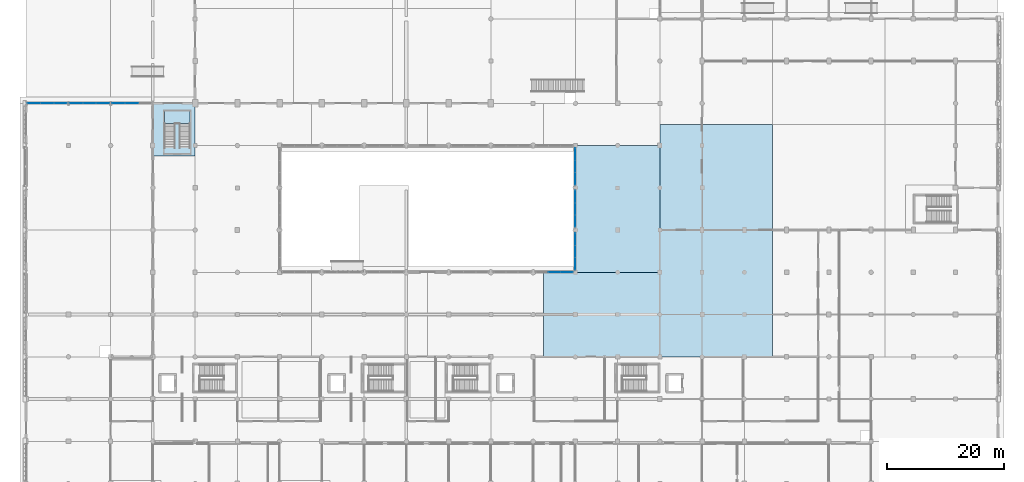
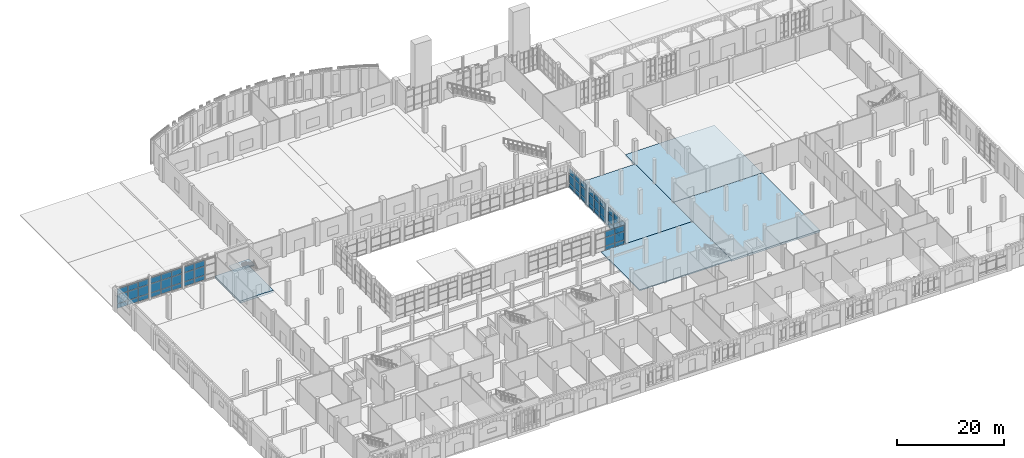
# One storey, part 41 of 85: 57 plates, 6 slabs, 8 elements without a shape of their own.
"""IFC4 building model written with IfcOpenShell, lengths in metres."""

from ifc_helpers import new_model, si_unit, direction, frame, origin, origin_2d, place, context, subcontext, project, spatial, polyline, rectangle, outline, extrude, material, layer, layer_set, type_object, element, aggregate, save


model = new_model("IFC4")

# Units and contexts
model_context = context("Model", 3, precision=1e-05, world=origin(), true_north=direction((0.0, 1.0)))
body_context = subcontext(model_context, "Body", "Model", "MODEL_VIEW")
ifc_project = project(units=[si_unit("LENGTHUNIT", "METRE"), si_unit("AREAUNIT", "SQUARE_METRE"), si_unit("VOLUMEUNIT", "CUBIC_METRE"), si_unit("PLANEANGLEUNIT", "RADIAN"), si_unit("MASSUNIT", "GRAM", prefix="KILO")], contexts=[model_context])

# Site, building, storey
site_placement = place(None, origin())
site = spatial("IfcSite", under=ifc_project, at=site_placement, CompositionType="ELEMENT")
building_placement = place(site_placement, origin())
building = spatial("IfcBuilding", under=site, at=building_placement, Name="Sardonyx Promenade Sports Hall", CompositionType="ELEMENT")
storey_placement = place(building_placement, origin())
storey = spatial("IfcBuildingStorey", under=building, at=storey_placement, Name="L00", CompositionType="ELEMENT", Elevation=0.0)

# Curtain wall, plates
ifc_material_1 = material(Name="Aluminium 6063-T6", Category="aluminium")
curtain_wall_type_1 = type_object("IfcCurtainWallType", Name="CW_Riwaq_L00_640", PredefinedType="USERDEFINED", material=ifc_material_1)
curtain_wall_1_placement = place(storey_placement, origin())
curtain_wall_1 = element("IfcCurtainWall", 1, at=curtain_wall_1_placement, inside=storey, type_object=curtain_wall_type_1, Name="Curtain wall CW17 cw:L00:118", ObjectType="CURTAIN WALL", PredefinedType="USERDEFINED")
ifc_material_2 = material(Name="Double-glazed acoustic IGU 32 mm", Category="glass")
ifc_layer_1 = layer(ifc_material_2, 0.031982421875)
ifc_layer_set_1 = layer_set([ifc_layer_1], Name="CW_Pan_Glz_32")
plate_type_1 = type_object("IfcPlateType", Name="CW_Pan_Glz_32", PredefinedType="CURTAIN_PANEL", material=ifc_layer_set_1)
plate_1_placement = place(storey_placement, frame((90.050048828125, 43.199951171875, 0.06494140625), z_axis=(0.0, 0.0, 1.0), x_axis=(1.0, 0.0, 0.0)))
plate_1 = element("IfcPlate", 2, at=plate_1_placement, type_object=plate_type_1, Name="Curtain panel CP02 cw:L00:118 #4", PredefinedType="CURTAIN_PANEL", context=body_context, shape_type="SweptSolid", body=[
    extrude(rectangle(XDim=2.033447265625, YDim=0.031982421875, at=origin_2d()), origin(), (0.0, 0.0, 1.0), 0.902587890625),
])
plate_2_placement = place(storey_placement, frame((90.050048828125, 43.199951171875, 1.032470703125), z_axis=(0.0, 0.0, 1.0), x_axis=(1.0, 0.0, 0.0)))
plate_2 = element("IfcPlate", 3, at=plate_2_placement, type_object=plate_type_1, Name="Curtain panel CP02 cw:L00:118 #5", PredefinedType="CURTAIN_PANEL", context=body_context, shape_type="SweptSolid", body=[
    extrude(rectangle(XDim=2.033447265625, YDim=0.031982421875, at=origin_2d()), origin(), (0.0, 0.0, 1.0), 1.93505859375),
])
plate_3_placement = place(storey_placement, frame((90.050048828125, 43.199951171875, 3.03271484375), z_axis=(0.0, 0.0, 1.0), x_axis=(1.0, 0.0, 0.0)))
plate_3 = element("IfcPlate", 4, at=plate_3_placement, type_object=plate_type_1, Name="Curtain panel CP02 cw:L00:118 #6", PredefinedType="CURTAIN_PANEL", context=body_context, shape_type="SweptSolid", body=[
    extrude(rectangle(XDim=2.033447265625, YDim=0.031982421875, at=origin_2d()), origin(), (0.0, 0.0, 1.0), 1.302490234375),
])
plate_4_placement = place(storey_placement, frame((92.1484375, 43.199951171875, 0.06494140625), z_axis=(0.0, 0.0, 1.0), x_axis=(1.0, 0.0, 0.0)))
plate_4 = element("IfcPlate", 5, at=plate_4_placement, type_object=plate_type_1, Name="Curtain panel CP02 cw:L00:118 #7", PredefinedType="CURTAIN_PANEL", context=body_context, shape_type="SweptSolid", body=[
    extrude(rectangle(XDim=2.033447265625, YDim=0.031982421875, at=origin_2d()), origin(), (0.0, 0.0, 1.0), 0.902587890625),
])
plate_5_placement = place(storey_placement, frame((92.1484375, 43.199951171875, 1.032470703125), z_axis=(0.0, 0.0, 1.0), x_axis=(1.0, 0.0, 0.0)))
plate_5 = element("IfcPlate", 6, at=plate_5_placement, type_object=plate_type_1, Name="Curtain panel CP02 cw:L00:118 #8", PredefinedType="CURTAIN_PANEL", context=body_context, shape_type="SweptSolid", body=[
    extrude(rectangle(XDim=2.033447265625, YDim=0.031982421875, at=origin_2d()), origin(), (0.0, 0.0, 1.0), 1.93505859375),
])
plate_6_placement = place(storey_placement, frame((92.1484375, 43.199951171875, 3.03271484375), z_axis=(0.0, 0.0, 1.0), x_axis=(1.0, 0.0, 0.0)))
plate_6 = element("IfcPlate", 7, at=plate_6_placement, type_object=plate_type_1, Name="Curtain panel CP02 cw:L00:118 #9", PredefinedType="CURTAIN_PANEL", context=body_context, shape_type="SweptSolid", body=[
    extrude(rectangle(XDim=2.033447265625, YDim=0.031982421875, at=origin_2d()), origin(), (0.0, 0.0, 1.0), 1.302490234375),
])
aggregate(curtain_wall_1, [plate_1, plate_2, plate_3, plate_4, plate_5, plate_6])

curtain_wall_2_placement = place(storey_placement, origin())
curtain_wall_2 = element("IfcCurtainWall", 8, at=curtain_wall_2_placement, inside=storey, type_object=curtain_wall_type_1, Name="Curtain wall CW17 cw:L00:121", ObjectType="CURTAIN WALL", PredefinedType="USERDEFINED")
plate_7_placement = place(storey_placement, frame((93.60009765625, 44.651611328125, 0.06494140625), z_axis=(0.0, 0.0, 1.0), x_axis=(0.0, 1.0, 0.0)))
plate_7 = element("IfcPlate", 9, at=plate_7_placement, type_object=plate_type_1, Name="Curtain panel CP02 cw:L00:121 #1", PredefinedType="CURTAIN_PANEL", context=body_context, shape_type="SweptSolid", body=[
    extrude(rectangle(XDim=2.033447265625, YDim=0.031982421875, at=origin_2d()), origin(), (0.0, 0.0, 1.0), 0.902587890625),
])
plate_8_placement = place(storey_placement, frame((93.60009765625, 44.651611328125, 1.032470703125), z_axis=(0.0, 0.0, 1.0), x_axis=(0.0, 1.0, 0.0)))
plate_8 = element("IfcPlate", 10, at=plate_8_placement, type_object=plate_type_1, Name="Curtain panel CP02 cw:L00:121 #2", PredefinedType="CURTAIN_PANEL", context=body_context, shape_type="SweptSolid", body=[
    extrude(rectangle(XDim=2.033447265625, YDim=0.031982421875, at=origin_2d()), origin(), (0.0, 0.0, 1.0), 1.93505859375),
])
plate_9_placement = place(storey_placement, frame((93.60009765625, 44.651611328125, 3.03271484375), z_axis=(0.0, 0.0, 1.0), x_axis=(0.0, 1.0, 0.0)))
plate_9 = element("IfcPlate", 11, at=plate_9_placement, type_object=plate_type_1, Name="Curtain panel CP02 cw:L00:121 #3", PredefinedType="CURTAIN_PANEL", context=body_context, shape_type="SweptSolid", body=[
    extrude(rectangle(XDim=2.033447265625, YDim=0.031982421875, at=origin_2d()), origin(), (0.0, 0.0, 1.0), 1.302490234375),
])
plate_10_placement = place(storey_placement, frame((93.60009765625, 46.75, 0.06494140625), z_axis=(0.0, 0.0, 1.0), x_axis=(0.0, 1.0, 0.0)))
plate_10 = element("IfcPlate", 12, at=plate_10_placement, type_object=plate_type_1, Name="Curtain panel CP02 cw:L00:121 #4", PredefinedType="CURTAIN_PANEL", context=body_context, shape_type="SweptSolid", body=[
    extrude(rectangle(XDim=2.033447265625, YDim=0.031982421875, at=origin_2d()), origin(), (0.0, 0.0, 1.0), 0.902587890625),
])
plate_11_placement = place(storey_placement, frame((93.60009765625, 46.75, 1.032470703125), z_axis=(0.0, 0.0, 1.0), x_axis=(0.0, 1.0, 0.0)))
plate_11 = element("IfcPlate", 13, at=plate_11_placement, type_object=plate_type_1, Name="Curtain panel CP02 cw:L00:121 #5", PredefinedType="CURTAIN_PANEL", context=body_context, shape_type="SweptSolid", body=[
    extrude(rectangle(XDim=2.033447265625, YDim=0.031982421875, at=origin_2d()), origin(), (0.0, 0.0, 1.0), 1.93505859375),
])
plate_12_placement = place(storey_placement, frame((93.60009765625, 46.75, 3.03271484375), z_axis=(0.0, 0.0, 1.0), x_axis=(0.0, 1.0, 0.0)))
plate_12 = element("IfcPlate", 14, at=plate_12_placement, type_object=plate_type_1, Name="Curtain panel CP02 cw:L00:121 #6", PredefinedType="CURTAIN_PANEL", context=body_context, shape_type="SweptSolid", body=[
    extrude(rectangle(XDim=2.033447265625, YDim=0.031982421875, at=origin_2d()), origin(), (0.0, 0.0, 1.0), 1.302490234375),
])
plate_13_placement = place(storey_placement, frame((93.60009765625, 48.848388671875, 0.06494140625), z_axis=(0.0, 0.0, 1.0), x_axis=(0.0, 1.0, 0.0)))
plate_13 = element("IfcPlate", 15, at=plate_13_placement, type_object=plate_type_1, Name="Curtain panel CP02 cw:L00:121 #7", PredefinedType="CURTAIN_PANEL", context=body_context, shape_type="SweptSolid", body=[
    extrude(rectangle(XDim=2.033447265625, YDim=0.031982421875, at=origin_2d()), origin(), (0.0, 0.0, 1.0), 0.902587890625),
])
plate_14_placement = place(storey_placement, frame((93.60009765625, 48.848388671875, 1.032470703125), z_axis=(0.0, 0.0, 1.0), x_axis=(0.0, 1.0, 0.0)))
plate_14 = element("IfcPlate", 16, at=plate_14_placement, type_object=plate_type_1, Name="Curtain panel CP02 cw:L00:121 #8", PredefinedType="CURTAIN_PANEL", context=body_context, shape_type="SweptSolid", body=[
    extrude(rectangle(XDim=2.033447265625, YDim=0.031982421875, at=origin_2d()), origin(), (0.0, 0.0, 1.0), 1.93505859375),
])
plate_15_placement = place(storey_placement, frame((93.60009765625, 48.848388671875, 3.03271484375), z_axis=(0.0, 0.0, 1.0), x_axis=(0.0, 1.0, 0.0)))
plate_15 = element("IfcPlate", 17, at=plate_15_placement, type_object=plate_type_1, Name="Curtain panel CP02 cw:L00:121 #9", PredefinedType="CURTAIN_PANEL", context=body_context, shape_type="SweptSolid", body=[
    extrude(rectangle(XDim=2.033447265625, YDim=0.031982421875, at=origin_2d()), origin(), (0.0, 0.0, 1.0), 1.302490234375),
])
aggregate(curtain_wall_2, [plate_7, plate_8, plate_9, plate_10, plate_11, plate_12, plate_13, plate_14, plate_15])

curtain_wall_3_placement = place(storey_placement, origin())
curtain_wall_3 = element("IfcCurtainWall", 18, at=curtain_wall_3_placement, inside=storey, type_object=curtain_wall_type_1, Name="Curtain wall CW17 cw:L00:123", ObjectType="CURTAIN WALL", PredefinedType="USERDEFINED")
plate_16_placement = place(storey_placement, frame((93.60009765625, 51.93505859375, 0.06494140625), z_axis=(0.0, 0.0, 1.0), x_axis=(0.0, 1.0, 0.0)))
plate_16 = element("IfcPlate", 19, at=plate_16_placement, type_object=plate_type_1, Name="Curtain panel CP02 cw:L00:123 #1", PredefinedType="CURTAIN_PANEL", context=body_context, shape_type="SweptSolid", body=[
    extrude(rectangle(XDim=2.0, YDim=0.031982421875, at=origin_2d()), origin(), (0.0, 0.0, 1.0), 0.902587890625),
])
plate_17_placement = place(storey_placement, frame((93.60009765625, 51.93505859375, 1.032470703125), z_axis=(0.0, 0.0, 1.0), x_axis=(0.0, 1.0, 0.0)))
plate_17 = element("IfcPlate", 20, at=plate_17_placement, type_object=plate_type_1, Name="Curtain panel CP02 cw:L00:123 #2", PredefinedType="CURTAIN_PANEL", context=body_context, shape_type="SweptSolid", body=[
    extrude(rectangle(XDim=2.0, YDim=0.031982421875, at=origin_2d()), origin(), (0.0, 0.0, 1.0), 1.93505859375),
])
plate_18_placement = place(storey_placement, frame((93.60009765625, 51.93505859375, 3.03271484375), z_axis=(0.0, 0.0, 1.0), x_axis=(0.0, 1.0, 0.0)))
plate_18 = element("IfcPlate", 21, at=plate_18_placement, type_object=plate_type_1, Name="Curtain panel CP02 cw:L00:123 #3", PredefinedType="CURTAIN_PANEL", context=body_context, shape_type="SweptSolid", body=[
    extrude(rectangle(XDim=2.0, YDim=0.031982421875, at=origin_2d()), origin(), (0.0, 0.0, 1.0), 1.302490234375),
])
plate_19_placement = place(storey_placement, frame((93.60009765625, 54.0, 0.06494140625), z_axis=(0.0, 0.0, 1.0), x_axis=(0.0, 1.0, 0.0)))
plate_19 = element("IfcPlate", 22, at=plate_19_placement, type_object=plate_type_1, Name="Curtain panel CP02 cw:L00:123 #4", PredefinedType="CURTAIN_PANEL", context=body_context, shape_type="SweptSolid", body=[
    extrude(rectangle(XDim=2.0, YDim=0.031982421875, at=origin_2d()), origin(), (0.0, 0.0, 1.0), 0.902587890625),
])
plate_20_placement = place(storey_placement, frame((93.60009765625, 54.0, 1.032470703125), z_axis=(0.0, 0.0, 1.0), x_axis=(0.0, 1.0, 0.0)))
plate_20 = element("IfcPlate", 23, at=plate_20_placement, type_object=plate_type_1, Name="Curtain panel CP02 cw:L00:123 #5", PredefinedType="CURTAIN_PANEL", context=body_context, shape_type="SweptSolid", body=[
    extrude(rectangle(XDim=2.0, YDim=0.031982421875, at=origin_2d()), origin(), (0.0, 0.0, 1.0), 1.93505859375),
])
plate_21_placement = place(storey_placement, frame((93.60009765625, 54.0, 3.03271484375), z_axis=(0.0, 0.0, 1.0), x_axis=(0.0, 1.0, 0.0)))
plate_21 = element("IfcPlate", 24, at=plate_21_placement, type_object=plate_type_1, Name="Curtain panel CP02 cw:L00:123 #6", PredefinedType="CURTAIN_PANEL", context=body_context, shape_type="SweptSolid", body=[
    extrude(rectangle(XDim=2.0, YDim=0.031982421875, at=origin_2d()), origin(), (0.0, 0.0, 1.0), 1.302490234375),
])
plate_22_placement = place(storey_placement, frame((93.60009765625, 56.06494140625, 0.06494140625), z_axis=(0.0, 0.0, 1.0), x_axis=(0.0, 1.0, 0.0)))
plate_22 = element("IfcPlate", 25, at=plate_22_placement, type_object=plate_type_1, Name="Curtain panel CP02 cw:L00:123 #7", PredefinedType="CURTAIN_PANEL", context=body_context, shape_type="SweptSolid", body=[
    extrude(rectangle(XDim=2.0, YDim=0.031982421875, at=origin_2d()), origin(), (0.0, 0.0, 1.0), 0.902587890625),
])
plate_23_placement = place(storey_placement, frame((93.60009765625, 56.06494140625, 1.032470703125), z_axis=(0.0, 0.0, 1.0), x_axis=(0.0, 1.0, 0.0)))
plate_23 = element("IfcPlate", 26, at=plate_23_placement, type_object=plate_type_1, Name="Curtain panel CP02 cw:L00:123 #8", PredefinedType="CURTAIN_PANEL", context=body_context, shape_type="SweptSolid", body=[
    extrude(rectangle(XDim=2.0, YDim=0.031982421875, at=origin_2d()), origin(), (0.0, 0.0, 1.0), 1.93505859375),
])
plate_24_placement = place(storey_placement, frame((93.60009765625, 56.06494140625, 3.03271484375), z_axis=(0.0, 0.0, 1.0), x_axis=(0.0, 1.0, 0.0)))
plate_24 = element("IfcPlate", 27, at=plate_24_placement, type_object=plate_type_1, Name="Curtain panel CP02 cw:L00:123 #9", PredefinedType="CURTAIN_PANEL", context=body_context, shape_type="SweptSolid", body=[
    extrude(rectangle(XDim=2.0, YDim=0.031982421875, at=origin_2d()), origin(), (0.0, 0.0, 1.0), 1.302490234375),
])
aggregate(curtain_wall_3, [plate_16, plate_17, plate_18, plate_19, plate_20, plate_21, plate_22, plate_23, plate_24])

curtain_wall_4_placement = place(storey_placement, origin())
curtain_wall_4 = element("IfcCurtainWall", 28, at=curtain_wall_4_placement, inside=storey, type_object=curtain_wall_type_1, Name="Curtain wall CW17 cw:L00:125", ObjectType="CURTAIN WALL", PredefinedType="USERDEFINED")
plate_25_placement = place(storey_placement, frame((93.60009765625, 59.151611328125, 0.06494140625), z_axis=(0.0, 0.0, 1.0), x_axis=(0.0, 1.0, 0.0)))
plate_25 = element("IfcPlate", 29, at=plate_25_placement, type_object=plate_type_1, Name="Curtain panel CP02 cw:L00:125 #1", PredefinedType="CURTAIN_PANEL", context=body_context, shape_type="SweptSolid", body=[
    extrude(rectangle(XDim=2.033447265625, YDim=0.031982421875, at=origin_2d()), origin(), (0.0, 0.0, 1.0), 0.902587890625),
])
plate_26_placement = place(storey_placement, frame((93.60009765625, 59.151611328125, 1.032470703125), z_axis=(0.0, 0.0, 1.0), x_axis=(0.0, 1.0, 0.0)))
plate_26 = element("IfcPlate", 30, at=plate_26_placement, type_object=plate_type_1, Name="Curtain panel CP02 cw:L00:125 #2", PredefinedType="CURTAIN_PANEL", context=body_context, shape_type="SweptSolid", body=[
    extrude(rectangle(XDim=2.033447265625, YDim=0.031982421875, at=origin_2d()), origin(), (0.0, 0.0, 1.0), 1.93505859375),
])
plate_27_placement = place(storey_placement, frame((93.60009765625, 59.151611328125, 3.03271484375), z_axis=(0.0, 0.0, 1.0), x_axis=(0.0, 1.0, 0.0)))
plate_27 = element("IfcPlate", 31, at=plate_27_placement, type_object=plate_type_1, Name="Curtain panel CP02 cw:L00:125 #3", PredefinedType="CURTAIN_PANEL", context=body_context, shape_type="SweptSolid", body=[
    extrude(rectangle(XDim=2.033447265625, YDim=0.031982421875, at=origin_2d()), origin(), (0.0, 0.0, 1.0), 1.302490234375),
])
plate_28_placement = place(storey_placement, frame((93.60009765625, 61.25, 0.06494140625), z_axis=(0.0, 0.0, 1.0), x_axis=(0.0, 1.0, 0.0)))
plate_28 = element("IfcPlate", 32, at=plate_28_placement, type_object=plate_type_1, Name="Curtain panel CP02 cw:L00:125 #4", PredefinedType="CURTAIN_PANEL", context=body_context, shape_type="SweptSolid", body=[
    extrude(rectangle(XDim=2.033447265625, YDim=0.031982421875, at=origin_2d()), origin(), (0.0, 0.0, 1.0), 0.902587890625),
])
plate_29_placement = place(storey_placement, frame((93.60009765625, 61.25, 1.032470703125), z_axis=(0.0, 0.0, 1.0), x_axis=(0.0, 1.0, 0.0)))
plate_29 = element("IfcPlate", 33, at=plate_29_placement, type_object=plate_type_1, Name="Curtain panel CP02 cw:L00:125 #5", PredefinedType="CURTAIN_PANEL", context=body_context, shape_type="SweptSolid", body=[
    extrude(rectangle(XDim=2.033447265625, YDim=0.031982421875, at=origin_2d()), origin(), (0.0, 0.0, 1.0), 1.93505859375),
])
plate_30_placement = place(storey_placement, frame((93.60009765625, 61.25, 3.03271484375), z_axis=(0.0, 0.0, 1.0), x_axis=(0.0, 1.0, 0.0)))
plate_30 = element("IfcPlate", 34, at=plate_30_placement, type_object=plate_type_1, Name="Curtain panel CP02 cw:L00:125 #6", PredefinedType="CURTAIN_PANEL", context=body_context, shape_type="SweptSolid", body=[
    extrude(rectangle(XDim=2.033447265625, YDim=0.031982421875, at=origin_2d()), origin(), (0.0, 0.0, 1.0), 1.302490234375),
])
plate_31_placement = place(storey_placement, frame((93.60009765625, 63.348388671875, 0.06494140625), z_axis=(0.0, 0.0, 1.0), x_axis=(0.0, 1.0, 0.0)))
plate_31 = element("IfcPlate", 35, at=plate_31_placement, type_object=plate_type_1, Name="Curtain panel CP02 cw:L00:125 #7", PredefinedType="CURTAIN_PANEL", context=body_context, shape_type="SweptSolid", body=[
    extrude(rectangle(XDim=2.033447265625, YDim=0.031982421875, at=origin_2d()), origin(), (0.0, 0.0, 1.0), 0.902587890625),
])
plate_32_placement = place(storey_placement, frame((93.60009765625, 63.348388671875, 1.032470703125), z_axis=(0.0, 0.0, 1.0), x_axis=(0.0, 1.0, 0.0)))
plate_32 = element("IfcPlate", 36, at=plate_32_placement, type_object=plate_type_1, Name="Curtain panel CP02 cw:L00:125 #8", PredefinedType="CURTAIN_PANEL", context=body_context, shape_type="SweptSolid", body=[
    extrude(rectangle(XDim=2.033447265625, YDim=0.031982421875, at=origin_2d()), origin(), (0.0, 0.0, 1.0), 1.93505859375),
])
plate_33_placement = place(storey_placement, frame((93.60009765625, 63.348388671875, 3.03271484375), z_axis=(0.0, 0.0, 1.0), x_axis=(0.0, 1.0, 0.0)))
plate_33 = element("IfcPlate", 37, at=plate_33_placement, type_object=plate_type_1, Name="Curtain panel CP02 cw:L00:125 #9", PredefinedType="CURTAIN_PANEL", context=body_context, shape_type="SweptSolid", body=[
    extrude(rectangle(XDim=2.033447265625, YDim=0.031982421875, at=origin_2d()), origin(), (0.0, 0.0, 1.0), 1.302490234375),
])
aggregate(curtain_wall_4, [plate_25, plate_26, plate_27, plate_28, plate_29, plate_30, plate_31, plate_32, plate_33])

ifc_material_3 = material(Name="Aluminium 6063-T6", Category="aluminium")
curtain_wall_type_2 = type_object("IfcCurtainWallType", Name="CW_Climb_North_L00", PredefinedType="USERDEFINED", material=ifc_material_3)
curtain_wall_5_placement = place(storey_placement, origin())
curtain_wall_5 = element("IfcCurtainWall", 38, at=curtain_wall_5_placement, inside=storey, type_object=curtain_wall_type_2, Name="Curtain wall CW05 cw:L00:069", ObjectType="CURTAIN WALL", PredefinedType="USERDEFINED")
ifc_material_4 = material(Name="Laminated safety sports IGU 36 mm", Category="glass")
ifc_layer_2 = layer(ifc_material_4, 0.035888671875)
ifc_layer_set_2 = layer_set([ifc_layer_2], Name="CW_Pan_Glz_36")
plate_type_2 = type_object("IfcPlateType", Name="CW_Pan_Glz_36", PredefinedType="CURTAIN_PANEL", material=ifc_layer_set_2)
plate_34_placement = place(storey_placement, frame((1.336669921875, 72.0, 0.369873046875), z_axis=(0.0, 0.0, 1.0), x_axis=(1.0, 0.0, 0.0)))
plate_34 = element("IfcPlate", 39, at=plate_34_placement, type_object=plate_type_2, Name="Curtain panel CP03 cw:L00:069 #1", PredefinedType="CURTAIN_PANEL", context=body_context, shape_type="SweptSolid", body=[
    extrude(rectangle(XDim=2.193359375, YDim=0.035888671875, at=origin_2d()), origin(), (0.0, 0.0, 1.0), 0.9951171875),
])
plate_35_placement = place(storey_placement, frame((1.336669921875, 72.0, 1.43505859375), z_axis=(0.0, 0.0, 1.0), x_axis=(1.0, 0.0, 0.0)))
plate_35 = element("IfcPlate", 40, at=plate_35_placement, type_object=plate_type_2, Name="Curtain panel CP03 cw:L00:069 #2", PredefinedType="CURTAIN_PANEL", context=body_context, shape_type="SweptSolid", body=[
    extrude(rectangle(XDim=2.193359375, YDim=0.035888671875, at=origin_2d()), origin(), (0.0, 0.0, 1.0), 2.030029296875),
])
plate_36_placement = place(storey_placement, frame((1.336669921875, 72.0, 3.53515625), z_axis=(0.0, 0.0, 1.0), x_axis=(1.0, 0.0, 0.0)))
plate_36 = element("IfcPlate", 41, at=plate_36_placement, type_object=plate_type_2, Name="Curtain panel CP03 cw:L00:069 #3", PredefinedType="CURTAIN_PANEL", context=body_context, shape_type="SweptSolid", body=[
    extrude(rectangle(XDim=2.193359375, YDim=0.035888671875, at=origin_2d()), origin(), (0.0, 0.0, 1.0), 1.294921875),
])
plate_37_placement = place(storey_placement, frame((3.60009765625, 72.0, 0.369873046875), z_axis=(0.0, 0.0, 1.0), x_axis=(1.0, 0.0, 0.0)))
plate_37 = element("IfcPlate", 42, at=plate_37_placement, type_object=plate_type_2, Name="Curtain panel CP03 cw:L00:069 #4", PredefinedType="CURTAIN_PANEL", context=body_context, shape_type="SweptSolid", body=[
    extrude(rectangle(XDim=2.193359375, YDim=0.035888671875, at=origin_2d()), origin(), (0.0, 0.0, 1.0), 0.9951171875),
])
plate_38_placement = place(storey_placement, frame((3.60009765625, 72.0, 1.43505859375), z_axis=(0.0, 0.0, 1.0), x_axis=(1.0, 0.0, 0.0)))
plate_38 = element("IfcPlate", 43, at=plate_38_placement, type_object=plate_type_2, Name="Curtain panel CP03 cw:L00:069 #5", PredefinedType="CURTAIN_PANEL", context=body_context, shape_type="SweptSolid", body=[
    extrude(rectangle(XDim=2.193359375, YDim=0.035888671875, at=origin_2d()), origin(), (0.0, 0.0, 1.0), 2.030029296875),
])
plate_39_placement = place(storey_placement, frame((3.60009765625, 72.0, 3.53515625), z_axis=(0.0, 0.0, 1.0), x_axis=(1.0, 0.0, 0.0)))
plate_39 = element("IfcPlate", 44, at=plate_39_placement, type_object=plate_type_2, Name="Curtain panel CP03 cw:L00:069 #6", PredefinedType="CURTAIN_PANEL", context=body_context, shape_type="SweptSolid", body=[
    extrude(rectangle(XDim=2.193359375, YDim=0.035888671875, at=origin_2d()), origin(), (0.0, 0.0, 1.0), 1.294921875),
])
plate_40_placement = place(storey_placement, frame((5.86328125, 72.0, 0.369873046875), z_axis=(0.0, 0.0, 1.0), x_axis=(1.0, 0.0, 0.0)))
plate_40 = element("IfcPlate", 45, at=plate_40_placement, type_object=plate_type_2, Name="Curtain panel CP03 cw:L00:069 #7", PredefinedType="CURTAIN_PANEL", context=body_context, shape_type="SweptSolid", body=[
    extrude(rectangle(XDim=2.193359375, YDim=0.035888671875, at=origin_2d()), origin(), (0.0, 0.0, 1.0), 0.9951171875),
])
plate_41_placement = place(storey_placement, frame((5.86328125, 72.0, 1.43505859375), z_axis=(0.0, 0.0, 1.0), x_axis=(1.0, 0.0, 0.0)))
plate_41 = element("IfcPlate", 46, at=plate_41_placement, type_object=plate_type_2, Name="Curtain panel CP03 cw:L00:069 #8", PredefinedType="CURTAIN_PANEL", context=body_context, shape_type="SweptSolid", body=[
    extrude(rectangle(XDim=2.193359375, YDim=0.035888671875, at=origin_2d()), origin(), (0.0, 0.0, 1.0), 2.030029296875),
])
plate_42_placement = place(storey_placement, frame((5.86328125, 72.0, 3.53515625), z_axis=(0.0, 0.0, 1.0), x_axis=(1.0, 0.0, 0.0)))
plate_42 = element("IfcPlate", 47, at=plate_42_placement, type_object=plate_type_2, Name="Curtain panel CP03 cw:L00:069 #9", PredefinedType="CURTAIN_PANEL", context=body_context, shape_type="SweptSolid", body=[
    extrude(rectangle(XDim=2.193359375, YDim=0.035888671875, at=origin_2d()), origin(), (0.0, 0.0, 1.0), 1.294921875),
])
aggregate(curtain_wall_5, [plate_34, plate_35, plate_36, plate_37, plate_38, plate_39, plate_40, plate_41, plate_42])

curtain_wall_6_placement = place(storey_placement, origin())
curtain_wall_6 = element("IfcCurtainWall", 48, at=curtain_wall_6_placement, inside=storey, type_object=curtain_wall_type_2, Name="Curtain wall CW05 cw:L00:070", ObjectType="CURTAIN WALL", PredefinedType="USERDEFINED")
plate_43_placement = place(storey_placement, frame((8.53662109375, 72.0, 0.369873046875), z_axis=(0.0, 0.0, 1.0), x_axis=(1.0, 0.0, 0.0)))
plate_43 = element("IfcPlate", 49, at=plate_43_placement, type_object=plate_type_2, Name="Curtain panel CP03 cw:L00:070 #1", PredefinedType="CURTAIN_PANEL", context=body_context, shape_type="SweptSolid", body=[
    extrude(rectangle(XDim=2.193359375, YDim=0.035888671875, at=origin_2d()), origin(), (0.0, 0.0, 1.0), 0.9951171875),
])
plate_44_placement = place(storey_placement, frame((8.53662109375, 72.0, 1.43505859375), z_axis=(0.0, 0.0, 1.0), x_axis=(1.0, 0.0, 0.0)))
plate_44 = element("IfcPlate", 50, at=plate_44_placement, type_object=plate_type_2, Name="Curtain panel CP03 cw:L00:070 #2", PredefinedType="CURTAIN_PANEL", context=body_context, shape_type="SweptSolid", body=[
    extrude(rectangle(XDim=2.193359375, YDim=0.035888671875, at=origin_2d()), origin(), (0.0, 0.0, 1.0), 2.030029296875),
])
plate_45_placement = place(storey_placement, frame((8.53662109375, 72.0, 3.53515625), z_axis=(0.0, 0.0, 1.0), x_axis=(1.0, 0.0, 0.0)))
plate_45 = element("IfcPlate", 51, at=plate_45_placement, type_object=plate_type_2, Name="Curtain panel CP03 cw:L00:070 #3", PredefinedType="CURTAIN_PANEL", context=body_context, shape_type="SweptSolid", body=[
    extrude(rectangle(XDim=2.193359375, YDim=0.035888671875, at=origin_2d()), origin(), (0.0, 0.0, 1.0), 1.294921875),
])
plate_46_placement = place(storey_placement, frame((10.800048828125, 72.0, 0.369873046875), z_axis=(0.0, 0.0, 1.0), x_axis=(1.0, 0.0, 0.0)))
plate_46 = element("IfcPlate", 52, at=plate_46_placement, type_object=plate_type_2, Name="Curtain panel CP03 cw:L00:070 #4", PredefinedType="CURTAIN_PANEL", context=body_context, shape_type="SweptSolid", body=[
    extrude(rectangle(XDim=2.193359375, YDim=0.035888671875, at=origin_2d()), origin(), (0.0, 0.0, 1.0), 0.9951171875),
])
plate_47_placement = place(storey_placement, frame((10.800048828125, 72.0, 1.43505859375), z_axis=(0.0, 0.0, 1.0), x_axis=(1.0, 0.0, 0.0)))
plate_47 = element("IfcPlate", 53, at=plate_47_placement, type_object=plate_type_2, Name="Curtain panel CP03 cw:L00:070 #5", PredefinedType="CURTAIN_PANEL", context=body_context, shape_type="SweptSolid", body=[
    extrude(rectangle(XDim=2.193359375, YDim=0.035888671875, at=origin_2d()), origin(), (0.0, 0.0, 1.0), 2.030029296875),
])
plate_48_placement = place(storey_placement, frame((10.800048828125, 72.0, 3.53515625), z_axis=(0.0, 0.0, 1.0), x_axis=(1.0, 0.0, 0.0)))
plate_48 = element("IfcPlate", 54, at=plate_48_placement, type_object=plate_type_2, Name="Curtain panel CP03 cw:L00:070 #6", PredefinedType="CURTAIN_PANEL", context=body_context, shape_type="SweptSolid", body=[
    extrude(rectangle(XDim=2.193359375, YDim=0.035888671875, at=origin_2d()), origin(), (0.0, 0.0, 1.0), 1.294921875),
])
plate_49_placement = place(storey_placement, frame((13.063232421875, 72.0, 0.369873046875), z_axis=(0.0, 0.0, 1.0), x_axis=(1.0, 0.0, 0.0)))
plate_49 = element("IfcPlate", 55, at=plate_49_placement, type_object=plate_type_2, Name="Curtain panel CP03 cw:L00:070 #7", PredefinedType="CURTAIN_PANEL", context=body_context, shape_type="SweptSolid", body=[
    extrude(rectangle(XDim=2.193359375, YDim=0.035888671875, at=origin_2d()), origin(), (0.0, 0.0, 1.0), 0.9951171875),
])
plate_50_placement = place(storey_placement, frame((13.063232421875, 72.0, 1.43505859375), z_axis=(0.0, 0.0, 1.0), x_axis=(1.0, 0.0, 0.0)))
plate_50 = element("IfcPlate", 56, at=plate_50_placement, type_object=plate_type_2, Name="Curtain panel CP03 cw:L00:070 #8", PredefinedType="CURTAIN_PANEL", context=body_context, shape_type="SweptSolid", body=[
    extrude(rectangle(XDim=2.193359375, YDim=0.035888671875, at=origin_2d()), origin(), (0.0, 0.0, 1.0), 2.030029296875),
])
plate_51_placement = place(storey_placement, frame((13.063232421875, 72.0, 3.53515625), z_axis=(0.0, 0.0, 1.0), x_axis=(1.0, 0.0, 0.0)))
plate_51 = element("IfcPlate", 57, at=plate_51_placement, type_object=plate_type_2, Name="Curtain panel CP03 cw:L00:070 #9", PredefinedType="CURTAIN_PANEL", context=body_context, shape_type="SweptSolid", body=[
    extrude(rectangle(XDim=2.193359375, YDim=0.035888671875, at=origin_2d()), origin(), (0.0, 0.0, 1.0), 1.294921875),
])
aggregate(curtain_wall_6, [plate_43, plate_44, plate_45, plate_46, plate_47, plate_48, plate_49, plate_50, plate_51])

curtain_wall_7_placement = place(storey_placement, origin())
curtain_wall_7 = element("IfcCurtainWall", 58, at=curtain_wall_7_placement, inside=storey, type_object=curtain_wall_type_2, Name="Curtain wall CW05 cw:L00:071", ObjectType="CURTAIN WALL", PredefinedType="USERDEFINED")
plate_52_placement = place(storey_placement, frame((15.736572265625, 72.0, 0.369873046875), z_axis=(0.0, 0.0, 1.0), x_axis=(1.0, 0.0, 0.0)))
plate_52 = element("IfcPlate", 59, at=plate_52_placement, type_object=plate_type_2, Name="Curtain panel CP03 cw:L00:071 #1", PredefinedType="CURTAIN_PANEL", context=body_context, shape_type="SweptSolid", body=[
    extrude(rectangle(XDim=2.193359375, YDim=0.035888671875, at=origin_2d()), origin(), (0.0, 0.0, 1.0), 0.9951171875),
])
plate_53_placement = place(storey_placement, frame((15.736572265625, 72.0, 1.43505859375), z_axis=(0.0, 0.0, 1.0), x_axis=(1.0, 0.0, 0.0)))
plate_53 = element("IfcPlate", 60, at=plate_53_placement, type_object=plate_type_2, Name="Curtain panel CP03 cw:L00:071 #2", PredefinedType="CURTAIN_PANEL", context=body_context, shape_type="SweptSolid", body=[
    extrude(rectangle(XDim=2.193359375, YDim=0.035888671875, at=origin_2d()), origin(), (0.0, 0.0, 1.0), 2.030029296875),
])
plate_54_placement = place(storey_placement, frame((15.736572265625, 72.0, 3.53515625), z_axis=(0.0, 0.0, 1.0), x_axis=(1.0, 0.0, 0.0)))
plate_54 = element("IfcPlate", 61, at=plate_54_placement, type_object=plate_type_2, Name="Curtain panel CP03 cw:L00:071 #3", PredefinedType="CURTAIN_PANEL", context=body_context, shape_type="SweptSolid", body=[
    extrude(rectangle(XDim=2.193359375, YDim=0.035888671875, at=origin_2d()), origin(), (0.0, 0.0, 1.0), 1.294921875),
])
plate_55_placement = place(storey_placement, frame((18.0, 72.0, 0.369873046875), z_axis=(0.0, 0.0, 1.0), x_axis=(1.0, 0.0, 0.0)))
plate_55 = element("IfcPlate", 62, at=plate_55_placement, type_object=plate_type_2, Name="Curtain panel CP03 cw:L00:071 #4", PredefinedType="CURTAIN_PANEL", context=body_context, shape_type="SweptSolid", body=[
    extrude(rectangle(XDim=2.193359375, YDim=0.035888671875, at=origin_2d()), origin(), (0.0, 0.0, 1.0), 0.9951171875),
])
plate_56_placement = place(storey_placement, frame((18.0, 72.0, 1.43505859375), z_axis=(0.0, 0.0, 1.0), x_axis=(1.0, 0.0, 0.0)))
plate_56 = element("IfcPlate", 63, at=plate_56_placement, type_object=plate_type_2, Name="Curtain panel CP03 cw:L00:071 #5", PredefinedType="CURTAIN_PANEL", context=body_context, shape_type="SweptSolid", body=[
    extrude(rectangle(XDim=2.193359375, YDim=0.035888671875, at=origin_2d()), origin(), (0.0, 0.0, 1.0), 2.030029296875),
])
plate_57_placement = place(storey_placement, frame((18.0, 72.0, 3.53515625), z_axis=(0.0, 0.0, 1.0), x_axis=(1.0, 0.0, 0.0)))
plate_57 = element("IfcPlate", 64, at=plate_57_placement, type_object=plate_type_2, Name="Curtain panel CP03 cw:L00:071 #6", PredefinedType="CURTAIN_PANEL", context=body_context, shape_type="SweptSolid", body=[
    extrude(rectangle(XDim=2.193359375, YDim=0.035888671875, at=origin_2d()), origin(), (0.0, 0.0, 1.0), 1.294921875),
])
aggregate(curtain_wall_7, [plate_52, plate_53, plate_54, plate_55, plate_56, plate_57])

# Stair, slab
ifc_material_5 = material(Name="Concrete C40/50", Category="concrete")
stair_type = type_object("IfcStairType", Name="Stair_Esc_Std_560", PredefinedType="HALF_TURN_STAIR", material=ifc_material_5)
stair_placement = place(storey_placement, origin())
stair = element("IfcStair", 65, at=stair_placement, inside=storey, type_object=stair_type, Name="Protected escape stair ST7 (L00 to L01)", PredefinedType="HALF_TURN_STAIR")
ifc_material_6 = material(Name="Concrete C40/50", Category="concrete")
ifc_layer_3 = layer(ifc_material_6, 0.260009765625)
ifc_layer_set_3 = layer_set([ifc_layer_3], Name="Land_Stair_260")
slab_type_1 = type_object("IfcSlabType", Name="Land_Stair_260", PredefinedType="LANDING", material=ifc_layer_set_3)
slab_1_placement = place(storey_placement, frame((0.0, 0.0, 2.5400390625)))
slab_1 = element("IfcSlab", 66, at=slab_1_placement, type_object=slab_type_1, Name="Stair half-landing ST7 L00", PredefinedType="LANDING", context=body_context, shape_type="SweptSolid", body=[
    extrude(outline(polyline([(27.925048828125, 68.5400390625), (27.925048828125, 70.64990234375), (23.574951171875, 70.64990234375), (23.574951171875, 68.5400390625), (27.925048828125, 68.5400390625)])), origin(), (0.0, 0.0, 1.0), 0.260009765625),
])
aggregate(stair, [slab_1])

# Slabs
ifc_material_7 = material(Name="Concrete C40/50", Category="concrete")
ifc_layer_4 = layer(ifc_material_7, 0.5)
ifc_layer_set_4 = layer_set([ifc_layer_4], Name="Slab_Base_B1_500")
slab_type_2 = type_object("IfcSlabType", Name="Slab_Base_B1_500", PredefinedType="BASESLAB", material=ifc_layer_set_4)
slab_2_placement = place(storey_placement, frame((0.0, 0.0, -0.5)))
element("IfcSlab", 67, at=slab_2_placement, inside=storey, type_object=slab_type_2, Name="Stair core thickened base slab BS01 L00 ST7", PredefinedType="BASESLAB", context=body_context, shape_type="SweptSolid", body=[
    extrude(outline(polyline([(21.60009765625, 63.0), (28.800048828125, 63.0), (28.800048828125, 72.5), (21.60009765625, 72.5), (21.60009765625, 63.0)])), origin(), (0.0, 0.0, 1.0), 0.5),
])
ifc_material_8 = material(Name="Concrete C40/50", Category="concrete")
ifc_layer_5 = layer(ifc_material_8, 0.409912109375)
ifc_layer_set_5 = layer_set([ifc_layer_5], Name="Slab_Base_Court_300")
slab_type_3 = type_object("IfcSlabType", Name="Slab_Base_Court_300", PredefinedType="BASESLAB", material=ifc_layer_set_5)
slab_3_placement = place(storey_placement, frame((0.0, 0.0, -0.409912109375)))
element("IfcSlab", 68, at=slab_3_placement, inside=storey, type_object=slab_type_3, Name="Slab BS03 L00 #41", PredefinedType="BASESLAB", context=body_context, shape_type="SweptSolid", body=[
    extrude(outline(polyline([(108.0, 50.39990234375), (127.199951171875, 50.39990234375), (127.199951171875, 68.39990234375), (108.0, 68.39990234375), (108.0, 50.39990234375)])), origin(), (0.0, 0.0, 1.0), 0.409912109375),
])
ifc_material_9 = material(Name="Concrete C40/50", Category="concrete")
ifc_layer_6 = layer(ifc_material_9, 0.419921875)
ifc_layer_set_6 = layer_set([ifc_layer_6], Name="Slab_Base_L00_350")
slab_type_4 = type_object("IfcSlabType", Name="Slab_Base_L00_350", PredefinedType="BASESLAB", material=ifc_layer_set_6)
slab_4_placement = place(storey_placement, frame((0.0, 0.0, -0.419921875)))
element("IfcSlab", 69, at=slab_4_placement, inside=storey, type_object=slab_type_4, Name="Slab BS02 L00 #67", PredefinedType="BASESLAB", context=body_context, shape_type="SweptSolid", body=[
    extrude(outline(polyline([(108.0, 28.800048828125), (127.199951171875, 28.800048828125), (127.199951171875, 50.39990234375), (108.0, 50.39990234375), (108.0, 28.800048828125)])), origin(), (0.0, 0.0, 1.0), 0.419921875),
])
ifc_material_10 = material(Name="Concrete C40/50", Category="concrete")
ifc_layer_7 = layer(ifc_material_10, 0.25)
ifc_layer_set_7 = layer_set([ifc_layer_7], Name="Slab_Ext_Apron_180")
slab_type_5 = type_object("IfcSlabType", Name="Slab_Ext_Apron_180", PredefinedType="FLOOR", material=ifc_layer_set_7)
slab_5_placement = place(storey_placement, frame((0.0, 0.0, -0.25)))
element("IfcSlab", 70, at=slab_5_placement, inside=storey, type_object=slab_type_5, Name="Slab TS01 L00 #73", PredefinedType="FLOOR", context=body_context, shape_type="SweptSolid", body=[
    extrude(outline(polyline([(88.199951171875, 28.800048828125), (108.0, 28.800048828125), (108.0, 43.199951171875), (88.199951171875, 43.199951171875), (88.199951171875, 28.800048828125)])), origin(), (0.0, 0.0, 1.0), 0.25),
])
slab_6_placement = place(storey_placement, frame((0.0, 0.0, -0.25)))
element("IfcSlab", 71, at=slab_6_placement, inside=storey, type_object=slab_type_5, Name="Slab TS01 L00 #79", PredefinedType="FLOOR", context=body_context, shape_type="SweptSolid", body=[
    extrude(outline(polyline([(93.60009765625, 43.199951171875), (108.0, 43.199951171875), (108.0, 64.800048828125), (93.60009765625, 64.800048828125), (93.60009765625, 43.199951171875)])), origin(), (0.0, 0.0, 1.0), 0.25),
])

save(model, "model.ifc")
